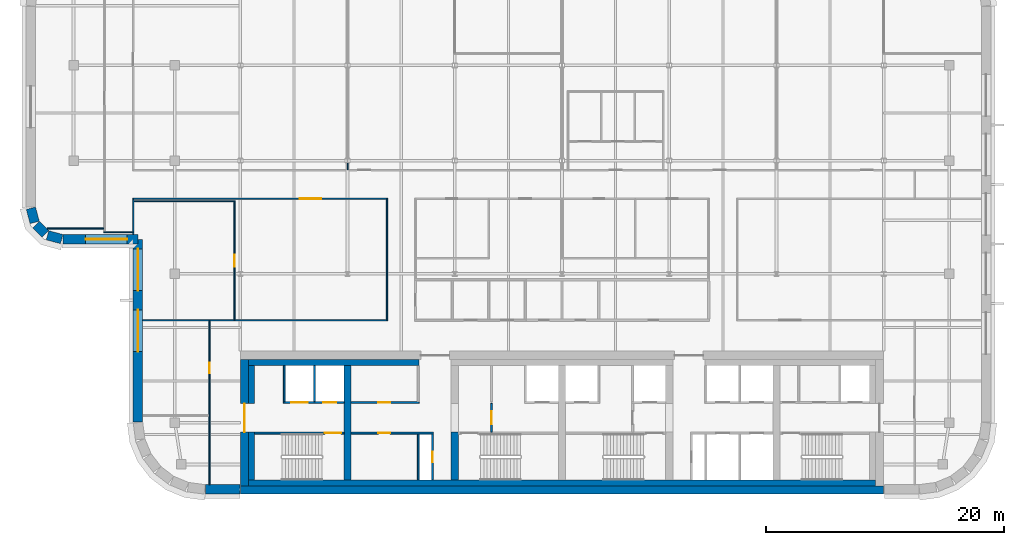
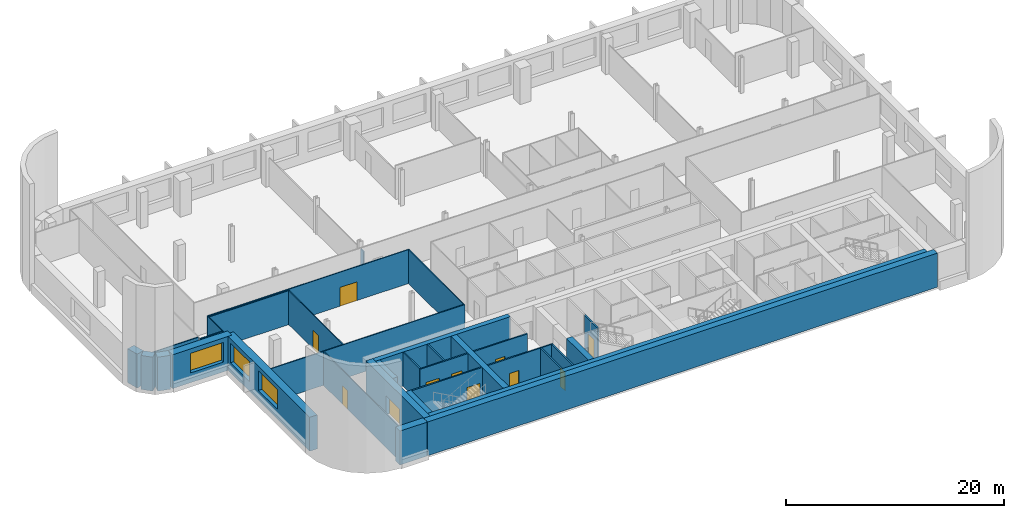
# One storey, part 7 of 16: 33 walls, 11 doors, 3 windows, 14 openings.
"""IFC4 building model written with IfcOpenShell, lengths in metres."""

from ifc_helpers import new_model, si_unit, direction, frame, frame_2d, origin, place, context, subcontext, project, spatial, rectangle, extrude, material, layer, layer_set, type_object, element, fill, save


model = new_model("IFC4")

# Units and contexts
model_context = context("Model", 3, precision=1e-05, world=origin(), true_north=direction((0.0, 1.0)))
body_context = subcontext(model_context, "Body", "Model", "MODEL_VIEW")
ifc_project = project(units=[si_unit("LENGTHUNIT", "METRE"), si_unit("AREAUNIT", "SQUARE_METRE"), si_unit("VOLUMEUNIT", "CUBIC_METRE"), si_unit("PLANEANGLEUNIT", "RADIAN"), si_unit("MASSUNIT", "GRAM", prefix="KILO")], contexts=[model_context])

# Site, building, storey
site_placement = place(None, origin())
site = spatial("IfcSite", under=ifc_project, at=site_placement, CompositionType="ELEMENT")
building_placement = place(site_placement, origin())
building = spatial("IfcBuilding", under=site, at=building_placement, Name="Zellij Exchange Tower", CompositionType="ELEMENT")
storey_placement = place(building_placement, frame((0.0, 0.0, 244.5)))
storey = spatial("IfcBuildingStorey", under=building, at=storey_placement, Name="L57", CompositionType="ELEMENT", Elevation=244.5)

# Walls
ifc_material_1 = material(Name="Concrete C50/60", Category="concrete")
ifc_layer_1 = layer(ifc_material_1, 0.60009765625)
ifc_layer_set_1 = layer_set([ifc_layer_1], Name="Concrete C50/60")
wall_type_1 = type_object("IfcWallType", Name="CORE-CW 600 C50/60", PredefinedType="SHEAR", material=ifc_layer_set_1)
wall_1_placement = place(storey_placement, frame((-18.0, -12.800048828125, 0.0), z_axis=(0.0, 0.0, 1.0), x_axis=(0.0, 1.0, 0.0)))
element("IfcWall", 1, at=wall_1_placement, inside=storey, type_object=wall_type_1, Name="Core cross wall x -18 L57", PredefinedType="SHEAR", context=body_context, shape_type="SweptSolid", body=[
    extrude(rectangle(XDim=9.60009765625, YDim=0.60009765625, at=frame_2d((4.800048828125, 0.0))), origin(), (0.0, 0.0, 1.0), 3.800048828125),
])
wall_2_placement = place(storey_placement, frame((-9.0, -12.800048828125, 0.0), z_axis=(0.0, 0.0, 1.0), x_axis=(0.0, 1.0, 0.0)))
element("IfcWall", 2, at=wall_2_placement, inside=storey, type_object=wall_type_1, Name="Core cross wall pier x -9 a L57", PredefinedType="SHEAR", context=body_context, shape_type="SweptSolid", body=[
    extrude(rectangle(XDim=4.0, YDim=0.60009765625, at=frame_2d((2.0, 0.0))), origin(), (0.0, 0.0, 1.0), 3.800048828125),
])
ifc_material_2 = material(Name="Concrete C30/37", Category="concrete")
ifc_layer_2 = layer(ifc_material_2, 0.5)
ifc_layer_set_2 = layer_set([ifc_layer_2], Name="Concrete C30/37")
wall_type_2 = type_object("IfcWallType", Name="CORE-LW 500 C30/37", PredefinedType="SHEAR", material=ifc_layer_set_2)
wall_3_placement = place(storey_placement, frame((-26.300048828125, -2.949951171875, 0.0), z_axis=(0.0, 0.0, 1.0), x_axis=(1.0, 0.0, 0.0)))
element("IfcWall", 3, at=wall_3_placement, inside=storey, type_object=wall_type_2, Name="Core wall lining front.0 L57", PredefinedType="SHEAR", context=body_context, shape_type="SweptSolid", body=[
    extrude(rectangle(XDim=14.300048828125, YDim=0.5, at=frame_2d((7.14990234375, 0.0))), origin(), (0.0, 0.0, 1.0), 3.800048828125),
])
wall_4_placement = place(storey_placement, frame((-26.300048828125, -13.050048828125, 0.0), z_axis=(0.0, 0.0, 1.0), x_axis=(1.0, 0.0, 0.0)))
element("IfcWall", 4, at=wall_4_placement, inside=storey, type_object=wall_type_2, Name="Core wall lining rear.0 L57", PredefinedType="SHEAR", context=body_context, shape_type="SweptSolid", body=[
    extrude(rectangle(XDim=52.60009765625, YDim=0.5, at=frame_2d((26.300048828125, 0.0))), origin(), (0.0, 0.0, 1.0), 3.800048828125),
])
wall_5_placement = place(storey_placement, frame((-26.050048828125, -12.800048828125, 0.0), z_axis=(0.0, 0.0, 1.0), x_axis=(0.0, 1.0, 0.0)))
element("IfcWall", 5, at=wall_5_placement, inside=storey, type_object=wall_type_2, Name="Core wall lining end w.0 L57", PredefinedType="SHEAR", context=body_context, shape_type="SweptSolid", body=[
    extrude(rectangle(XDim=4.0, YDim=0.5, at=frame_2d((2.0, 0.0))), origin(), (0.0, 0.0, 1.0), 3.800048828125),
])
wall_6_placement = place(storey_placement, frame((-26.050048828125, -6.375, 0.0), z_axis=(0.0, 0.0, 1.0), x_axis=(0.0, 1.0, 0.0)))
element("IfcWall", 6, at=wall_6_placement, inside=storey, type_object=wall_type_2, Name="Core wall lining end w.1 L57", PredefinedType="SHEAR", context=body_context, shape_type="SweptSolid", body=[
    extrude(rectangle(XDim=3.175048828125, YDim=0.5, at=frame_2d((1.58740234375, 0.0))), origin(), (0.0, 0.0, 1.0), 3.800048828125),
])

# Wall, opening, door
ifc_material_3 = material(Name="Gypsum shaft wall system")
ifc_layer_3 = layer(ifc_material_3, 0.14990234375)
ifc_layer_set_3 = layer_set([ifc_layer_3], Name="Gypsum shaft wall system")
wall_type_3 = type_object("IfcWallType", Name="CORE-PW 150 Firefighting lobby wall", PredefinedType="PARTITIONING", material=ifc_layer_set_3)
wall_7_placement = place(storey_placement, frame((-5.925048828125, -8.800048828125, 0.0), z_axis=(0.0, 0.0, 1.0), x_axis=(0.0, 1.0, 0.0)))
wall_7 = element("IfcWall", 7, at=wall_7_placement, inside=storey, type_object=wall_type_3, Name="Firefighting lobby wall L57", PredefinedType="PARTITIONING", context=body_context, shape_type="SweptSolid", body=[
    extrude(rectangle(XDim=2.425048828125, YDim=0.14990234375, at=frame_2d((1.21240234375, 0.0))), origin(), (0.0, 0.0, 1.0), 3.800048828125),
])
opening_1_placement = place(wall_7_placement, frame((0.662109375, 0.0, 0.0)))
opening_1 = element("IfcOpeningElement", 8, at=opening_1_placement, cuts=wall_7, Name="Opening CA-30.10", PredefinedType="OPENING", context=body_context, shape_type="SweptSolid", body=[
    extrude(rectangle(XDim=1.10009765625, YDim=2.10009765625, at=frame_2d((0.550048828125, 1.050048828125))), frame((0.0, 0.0869140625, 0.0), z_axis=(0.0, -1.0, 0.0), x_axis=(1.0, 0.0, 0.0)), (0.0, 0.0, 1.0), 0.173828125),
])
ifc_material_4 = material(Name="Hollow metal fire door")
door_type_1 = type_object("IfcDoorType", Name="CORE-D F Firefighting lobby door 1100x2100 1 HR", OperationType="NOTDEFINED", PredefinedType="DOOR", material=ifc_material_4)
door_1_placement = place(opening_1_placement, origin())
door_1 = element("IfcDoor", 9, at=door_1_placement, inside=storey, type_object=door_type_1, Name="Firefighting lobby door CA-30.10", OperationType="SINGLE_SWING_LEFT", OverallHeight=2.10009765625, OverallWidth=1.10009765625, PredefinedType="DOOR", context=body_context, shape_type="SweptSolid", body=[
    extrude(rectangle(XDim=1.10009765625, YDim=2.10009765625, at=frame_2d((0.550048828125, 1.050048828125))), frame((0.0, 0.02490234375, 0.0), z_axis=(0.0, -1.0, 0.0), x_axis=(1.0, 0.0, 0.0)), (0.0, 0.0, 1.0), 0.050048828125),
])
fill(opening_1, door_1)

ifc_material_5 = material(Name="Gypsum board partition")
ifc_layer_4 = layer(ifc_material_5, 0.14990234375)
ifc_layer_set_4 = layer_set([ifc_layer_4], Name="Gypsum board partition")
wall_type_4 = type_object("IfcWallType", Name="CORE-PW 150 Lift lobby wall", PredefinedType="PARTITIONING", material=ifc_layer_set_4)
wall_8_placement = place(storey_placement, frame((-10.875, -12.800048828125, 0.0), z_axis=(0.0, 0.0, 1.0), x_axis=(0.0, 1.0, 0.0)))
wall_8 = element("IfcWall", 10, at=wall_8_placement, inside=storey, type_object=wall_type_4, Name="Lift lobby wall L57", PredefinedType="PARTITIONING", context=body_context, shape_type="SweptSolid", body=[
    extrude(rectangle(XDim=3.85009765625, YDim=0.14990234375, at=frame_2d((1.925048828125, 0.0))), origin(), (0.0, 0.0, 1.0), 3.800048828125),
])
opening_2_placement = place(wall_8_placement, frame((1.47509765625, 0.0, 0.0)))
opening_2 = element("IfcOpeningElement", 11, at=opening_2_placement, cuts=wall_8, Name="Opening CA-30.07", PredefinedType="OPENING", context=body_context, shape_type="SweptSolid", body=[
    extrude(rectangle(XDim=0.89990234375, YDim=2.10009765625, at=frame_2d((0.449951171875, 1.050048828125))), frame((0.0, 0.0869140625, 0.0), z_axis=(0.0, -1.0, 0.0), x_axis=(1.0, 0.0, 0.0)), (0.0, 0.0, 1.0), 0.173828125),
])
door_type_2 = type_object("IfcDoorType", Name="CORE-D RD Riser door 900x2100 1.5 HR", OperationType="NOTDEFINED", PredefinedType="DOOR", material=ifc_material_4)
door_2_placement = place(opening_2_placement, origin())
door_2 = element("IfcDoor", 12, at=door_2_placement, inside=storey, type_object=door_type_2, Name="Riser door CA-30.07", OperationType="SINGLE_SWING_RIGHT", OverallHeight=2.10009765625, OverallWidth=0.89990234375, PredefinedType="DOOR", context=body_context, shape_type="SweptSolid", body=[
    extrude(rectangle(XDim=0.89990234375, YDim=2.10009765625, at=frame_2d((0.449951171875, 1.050048828125))), frame((0.0, 0.02490234375, 0.0), z_axis=(0.0, -1.0, 0.0), x_axis=(1.0, 0.0, 0.0)), (0.0, 0.0, 1.0), 0.050048828125),
])
fill(opening_2, door_2)

# Wall
wall_9_placement = place(storey_placement, frame((-12.074951171875, -12.800048828125, 0.0), z_axis=(0.0, 0.0, 1.0), x_axis=(0.0, 1.0, 0.0)))
element("IfcWall", 13, at=wall_9_placement, inside=storey, type_object=wall_type_4, Name="Lift lobby wall L57", PredefinedType="PARTITIONING", context=body_context, shape_type="SweptSolid", body=[
    extrude(rectangle(XDim=3.85009765625, YDim=0.14990234375, at=frame_2d((1.925048828125, 0.0))), origin(), (0.0, 0.0, 1.0), 3.800048828125),
])

# Wall, opening, door
wall_10_placement = place(storey_placement, frame((-17.699951171875, -6.300048828125, 0.0), z_axis=(0.0, 0.0, 1.0), x_axis=(1.0, 0.0, 0.0)))
wall_10 = element("IfcWall", 14, at=wall_10_placement, inside=storey, type_object=wall_type_4, Name="Lift lobby wall L57", PredefinedType="PARTITIONING", context=body_context, shape_type="SweptSolid", body=[
    extrude(rectangle(XDim=5.699951171875, YDim=0.14990234375, at=frame_2d((2.85009765625, 0.0))), origin(), (0.0, 0.0, 1.0), 3.800048828125),
])
opening_3_placement = place(wall_10_placement, frame((2.27490234375, 0.0, 0.0)))
opening_3 = element("IfcOpeningElement", 15, at=opening_3_placement, cuts=wall_10, Name="Opening CA-30.06", PredefinedType="OPENING", context=body_context, shape_type="SweptSolid", body=[
    extrude(rectangle(XDim=1.0, YDim=2.10009765625, at=frame_2d((0.5, 1.050048828125))), frame((0.0, 0.0869140625, 0.0), z_axis=(0.0, -1.0, 0.0), x_axis=(1.0, 0.0, 0.0)), (0.0, 0.0, 1.0), 0.173828125),
])
door_type_3 = type_object("IfcDoorType", Name="CORE-D CD Core room door 1000x2100 1 HR", OperationType="NOTDEFINED", PredefinedType="DOOR", material=ifc_material_4)
door_3_placement = place(opening_3_placement, origin())
door_3 = element("IfcDoor", 16, at=door_3_placement, inside=storey, type_object=door_type_3, Name="Core room door CA-30.06", OperationType="SINGLE_SWING_LEFT", OverallHeight=2.10009765625, OverallWidth=1.0, PredefinedType="DOOR", context=body_context, shape_type="SweptSolid", body=[
    extrude(rectangle(XDim=1.0, YDim=2.10009765625, at=frame_2d((0.5, 1.050048828125))), frame((0.0, 0.02490234375, 0.0), z_axis=(0.0, -1.0, 0.0), x_axis=(1.0, 0.0, 0.0)), (0.0, 0.0, 1.0), 0.050048828125),
])
fill(opening_3, door_3)

wall_11_placement = place(storey_placement, frame((-17.699951171875, -8.875, 0.0), z_axis=(0.0, 0.0, 1.0), x_axis=(1.0, 0.0, 0.0)))
wall_11 = element("IfcWall", 17, at=wall_11_placement, inside=storey, type_object=wall_type_4, Name="Lift lobby wall L57", PredefinedType="PARTITIONING", context=body_context, shape_type="SweptSolid", body=[
    extrude(rectangle(XDim=6.89990234375, YDim=0.14990234375, at=frame_2d((3.449951171875, 0.0))), origin(), (0.0, 0.0, 1.0), 3.800048828125),
])
opening_4_placement = place(wall_11_placement, frame((2.27490234375, 0.0, 0.0)))
opening_4 = element("IfcOpeningElement", 18, at=opening_4_placement, cuts=wall_11, Name="Opening CA-30.05", PredefinedType="OPENING", context=body_context, shape_type="SweptSolid", body=[
    extrude(rectangle(XDim=1.0, YDim=2.10009765625, at=frame_2d((0.5, 1.050048828125))), frame((0.0, 0.0869140625, 0.0), z_axis=(0.0, -1.0, 0.0), x_axis=(1.0, 0.0, 0.0)), (0.0, 0.0, 1.0), 0.173828125),
])
door_4_placement = place(opening_4_placement, origin())
door_4 = element("IfcDoor", 19, at=door_4_placement, inside=storey, type_object=door_type_3, Name="Core room door CA-30.05", OperationType="SINGLE_SWING_RIGHT", OverallHeight=2.10009765625, OverallWidth=1.0, PredefinedType="DOOR", context=body_context, shape_type="SweptSolid", body=[
    extrude(rectangle(XDim=1.0, YDim=2.10009765625, at=frame_2d((0.5, 1.050048828125))), frame((0.0, 0.02490234375, 0.0), z_axis=(0.0, -1.0, 0.0), x_axis=(1.0, 0.0, 0.0)), (0.0, 0.0, 1.0), 0.050048828125),
])
fill(opening_4, door_4)

# Walls
ifc_layer_5 = layer(ifc_material_3, 0.14990234375)
ifc_layer_set_5 = layer_set([ifc_layer_5], Name="Gypsum shaft wall system")
wall_type_5 = type_object("IfcWallType", Name="CORE-PW 150 Lift shaft wall", PredefinedType="PARTITIONING", material=ifc_layer_set_5)
for number, where, z_axis, x_axis, name in (
    (20, (-20.77490234375, -6.22509765625, 0.0), (0.0, 0.0, 1.0), (0.0, 1.0, 0.0), "Lift shaft wall L57"),
    (21, (-23.324951171875, -6.22509765625, 0.0), (0.0, 0.0, 1.0), (0.0, 1.0, 0.0), "Lift shaft wall L57"),
):
    element("IfcWall", number, at=place(storey_placement, frame(where, z_axis=z_axis, x_axis=x_axis)), inside=storey, type_object=wall_type_5, Name=name, PredefinedType="PARTITIONING", context=body_context, shape_type="SweptSolid", body=[
        extrude(rectangle(XDim=3.025146484375, YDim=0.14990234375, at=frame_2d((1.5126953125, 0.0))), origin(), (0.0, 0.0, 1.0), 3.800048828125),
    ])

# Wall, openings, doors
wall_12_placement = place(storey_placement, frame((-23.39990234375, -6.300048828125, 0.0), z_axis=(0.0, 0.0, 1.0), x_axis=(1.0, 0.0, 0.0)))
wall_12 = element("IfcWall", 22, at=wall_12_placement, inside=storey, type_object=wall_type_5, Name="Lift shaft wall L57", PredefinedType="PARTITIONING", context=body_context, shape_type="SweptSolid", body=[
    extrude(rectangle(XDim=5.099853515625, YDim=0.14990234375, at=frame_2d((2.5498046875, 0.0))), origin(), (0.0, 0.0, 1.0), 3.800048828125),
])
opening_5_placement = place(wall_12_placement, frame((0.64990234375, 0.0, 0.0)))
opening_5 = element("IfcOpeningElement", 23, at=opening_5_placement, cuts=wall_12, Name="Opening CA-30.02", PredefinedType="OPENING", context=body_context, shape_type="SweptSolid", body=[
    extrude(rectangle(XDim=1.39990234375, YDim=2.10009765625, at=frame_2d((0.699951171875, 1.050048828125))), frame((0.0, 0.0869140625, 0.0), z_axis=(0.0, -1.0, 0.0), x_axis=(1.0, 0.0, 0.0)), (0.0, 0.0, 1.0), 0.173828125),
])
opening_6_placement = place(wall_12_placement, frame((3.35009765625, 0.0, 0.0)))
opening_6 = element("IfcOpeningElement", 24, at=opening_6_placement, cuts=wall_12, Name="Opening CA-30.03", PredefinedType="OPENING", context=body_context, shape_type="SweptSolid", body=[
    extrude(rectangle(XDim=1.10009765625, YDim=2.10009765625, at=frame_2d((0.550048828125, 1.050048828125))), frame((0.0, 0.0869140625, 0.0), z_axis=(0.0, -1.0, 0.0), x_axis=(1.0, 0.0, 0.0)), (0.0, 0.0, 1.0), 0.173828125),
])
door_type_4 = type_object("IfcDoorType", Name="CORE-D LD Lift landing door 1100x2100 1.5 HR", OperationType="NOTDEFINED", PredefinedType="DOOR", material=ifc_material_4)
door_5_placement = place(opening_6_placement, origin())
door_5 = element("IfcDoor", 25, at=door_5_placement, inside=storey, type_object=door_type_4, Name="Lift landing door CA-30.03", OperationType="SLIDING_TO_LEFT", OverallHeight=2.10009765625, OverallWidth=1.10009765625, PredefinedType="DOOR", context=body_context, shape_type="SweptSolid", body=[
    extrude(rectangle(XDim=1.10009765625, YDim=2.10009765625, at=frame_2d((0.550048828125, 1.050048828125))), frame((0.0, 0.02490234375, 0.0), z_axis=(0.0, -1.0, 0.0), x_axis=(1.0, 0.0, 0.0)), (0.0, 0.0, 1.0), 0.050048828125),
])
fill(opening_6, door_5)
door_type_5 = type_object("IfcDoorType", Name="CORE-D LD2 Service lift landing door 1400x2100 1.5 HR", OperationType="NOTDEFINED", PredefinedType="DOOR", material=ifc_material_4)
door_6_placement = place(opening_5_placement, origin())
door_6 = element("IfcDoor", 26, at=door_6_placement, inside=storey, type_object=door_type_5, Name="Service lift landing door CA-30.02", OperationType="SLIDING_TO_RIGHT", OverallHeight=2.10009765625, OverallWidth=1.39990234375, PredefinedType="DOOR", context=body_context, shape_type="SweptSolid", body=[
    extrude(rectangle(XDim=1.39990234375, YDim=2.10009765625, at=frame_2d((0.699951171875, 1.050048828125))), frame((0.0, 0.02490234375, 0.0), z_axis=(0.0, -1.0, 0.0), x_axis=(1.0, 0.0, 0.0)), (0.0, 0.0, 1.0), 0.050048828125),
])
fill(opening_5, door_6)

# Wall
ifc_layer_6 = layer(ifc_material_1, 0.699951171875)
ifc_layer_set_6 = layer_set([ifc_layer_6], Name="Concrete C50/60")
wall_type_6 = type_object("IfcWallType", Name="CORE-SW 700 C50/60", PredefinedType="SHEAR", material=ifc_layer_set_6)
wall_13_placement = place(storey_placement, frame((-27.0, -13.64990234375, 0.0), z_axis=(0.0, 0.0, 1.0), x_axis=(1.0, 0.0, 0.0)))
element("IfcWall", 27, at=wall_13_placement, inside=storey, type_object=wall_type_6, Name="Core shear wall rear L57", PredefinedType="SHEAR", context=body_context, shape_type="SweptSolid", body=[
    extrude(rectangle(XDim=54.0, YDim=0.699951171875, at=frame_2d((27.0, 0.0))), origin(), (0.0, 0.0, 1.0), 3.800048828125),
])

# Wall, opening, door
wall_14_placement = place(storey_placement, frame((-26.64990234375, -13.300048828125, 0.0), z_axis=(0.0, 0.0, 1.0), x_axis=(0.0, 1.0, 0.0)))
wall_14 = element("IfcWall", 28, at=wall_14_placement, inside=storey, type_object=wall_type_6, Name="Core shear wall end w L57", PredefinedType="SHEAR", context=body_context, shape_type="SweptSolid", body=[
    extrude(rectangle(XDim=10.60009765625, YDim=0.699951171875, at=frame_2d((5.300048828125, 0.0))), origin(), (0.0, 0.0, 1.0), 3.800048828125),
])
opening_7_placement = place(wall_14_placement, frame((4.511962890625, 0.0, 0.0)))
opening_7 = element("IfcOpeningElement", 29, at=opening_7_placement, cuts=wall_14, Name="Opening CA-30.01", PredefinedType="OPENING", context=body_context, shape_type="SweptSolid", body=[
    extrude(rectangle(XDim=2.39990234375, YDim=2.10009765625, at=frame_2d((1.199951171875, 1.050048828125))), frame((0.0, 0.36181640625, 0.0), z_axis=(0.0, -1.0, 0.0), x_axis=(1.0, 0.0, 0.0)), (0.0, 0.0, 1.0), 0.723876953125),
])
door_type_6 = type_object("IfcDoorType", Name="CORE-D CE Core entrance door 2400x2100 20 MIN", OperationType="NOTDEFINED", PredefinedType="DOOR", material=ifc_material_4)
door_7_placement = place(opening_7_placement, origin())
door_7 = element("IfcDoor", 30, at=door_7_placement, inside=storey, type_object=door_type_6, Name="Core entrance door CA-30.01", OperationType="DOUBLE_DOOR_SINGLE_SWING", OverallHeight=2.10009765625, OverallWidth=2.39990234375, PredefinedType="DOOR", context=body_context, shape_type="SweptSolid", body=[
    extrude(rectangle(XDim=2.39990234375, YDim=2.10009765625, at=frame_2d((1.199951171875, 1.050048828125))), frame((0.0, 0.02490234375, 0.0), z_axis=(0.0, -1.0, 0.0), x_axis=(1.0, 0.0, 0.0)), (0.0, 0.0, 1.0), 0.050048828125),
])
fill(opening_7, door_7)

ifc_layer_7 = layer(ifc_material_1, 0.14990234375)
ifc_layer_set_7 = layer_set([ifc_layer_7], Name="Concrete C50/60")
wall_type_7 = type_object("IfcWallType", Name="CORE-SWS 150 C50/60", PredefinedType="SHEAR", material=ifc_layer_set_7)
wall_15_placement = place(storey_placement, frame((-25.800048828125, -8.875, 0.0), z_axis=(0.0, 0.0, 1.0), x_axis=(1.0, 0.0, 0.0)))
wall_15 = element("IfcWall", 31, at=wall_15_placement, inside=storey, type_object=wall_type_7, Name="Stair enclosure wall L57", PredefinedType="SHEAR", context=body_context, shape_type="SweptSolid", body=[
    extrude(rectangle(XDim=7.5, YDim=0.14990234375, at=frame_2d((3.75, 0.0))), origin(), (0.0, 0.0, 1.0), 3.800048828125),
])
opening_8_placement = place(wall_15_placement, frame((5.875, 0.0, 0.0)))
opening_8 = element("IfcOpeningElement", 32, at=opening_8_placement, cuts=wall_15, Name="Opening CA-30.04", PredefinedType="OPENING", context=body_context, shape_type="SweptSolid", body=[
    extrude(rectangle(XDim=1.39990234375, YDim=2.10009765625, at=frame_2d((0.699951171875, 1.050048828125))), frame((0.0, 0.0869140625, 0.0), z_axis=(0.0, -1.0, 0.0), x_axis=(1.0, 0.0, 0.0)), (0.0, 0.0, 1.0), 0.173828125),
])
door_type_7 = type_object("IfcDoorType", Name="CORE-D SD Stair door 1400x2100 1.5 HR", OperationType="NOTDEFINED", PredefinedType="DOOR", material=ifc_material_4)
door_8_placement = place(opening_8_placement, origin())
door_8 = element("IfcDoor", 33, at=door_8_placement, inside=storey, type_object=door_type_7, Name="Stair door CA-30.04", OperationType="DOUBLE_DOOR_SINGLE_SWING", OverallHeight=2.10009765625, OverallWidth=1.39990234375, PredefinedType="DOOR", context=body_context, shape_type="SweptSolid", body=[
    extrude(rectangle(XDim=1.39990234375, YDim=2.10009765625, at=frame_2d((0.699951171875, 1.050048828125))), frame((0.0, 0.02490234375, 0.0), z_axis=(0.0, -1.0, 0.0), x_axis=(1.0, 0.0, 0.0)), (0.0, 0.0, 1.0), 0.050048828125),
])
fill(opening_8, door_8)

# Walls
ifc_material_6 = material(Name="Precast concrete C40/50", Category="concrete")
ifc_layer_8 = layer(ifc_material_6, 0.800048828125)
ifc_layer_set_8 = layer_set([ifc_layer_8], Name="Precast concrete C40/50")
wall_type_8 = type_object("IfcWallType", Name="ENV-EW1 Precast stone-piered wall 800", PredefinedType="SOLIDWALL", material=ifc_layer_set_8)
wall_16_placement = place(storey_placement, frame((-29.947509765625, -13.60009765625, 0.0), z_axis=(0.0, 0.0, 1.0), x_axis=(1.0, 0.0, 0.0)))
element("IfcWall", 34, at=wall_16_placement, inside=storey, type_object=wall_type_8, Name="fac.L57.00a", PredefinedType="SOLIDWALL", context=body_context, shape_type="SweptSolid", body=[
    extrude(rectangle(XDim=2.8974609375, YDim=0.800048828125, at=frame_2d((1.44873046875, 0.0))), origin(), (0.0, 0.0, 1.0), 3.800048828125),
])
wall_17_placement = place(storey_placement, frame((-44.58642578125, 10.001708984375, 0.0), z_axis=(0.0, 0.0, 1.0), x_axis=(0.258943885187, -0.965892366842, 0.0)))
element("IfcWall", 35, at=wall_17_placement, inside=storey, type_object=wall_type_8, Name="fac.L57.22", PredefinedType="SOLIDWALL", context=body_context, shape_type="SweptSolid", body=[
    extrude(rectangle(XDim=1.233154296875, YDim=0.800048828125, at=frame_2d((0.61669921875, 0.0))), origin(), (0.0, 0.0, 1.0), 3.800048828125),
])
wall_18_placement = place(storey_placement, frame((-44.163818359375, 8.63134765625, 0.0), z_axis=(0.0, 0.0, 1.0), x_axis=(0.707106781187, -0.707106781187, 0.0)))
element("IfcWall", 36, at=wall_18_placement, inside=storey, type_object=wall_type_8, Name="fac.L57.23", PredefinedType="SOLIDWALL", context=body_context, shape_type="SweptSolid", body=[
    extrude(rectangle(XDim=1.12451171875, YDim=0.800048828125, at=frame_2d((0.562255859375, 0.0))), origin(), (0.0, 0.0, 1.0), 3.800048828125),
])
wall_19_placement = place(storey_placement, frame((-43.189453125, 7.73291015625, 0.0), z_axis=(0.0, 0.0, 1.0), x_axis=(0.965892366842, -0.258943885187, 0.0)))
element("IfcWall", 37, at=wall_19_placement, inside=storey, type_object=wall_type_8, Name="fac.L57.24", PredefinedType="SOLIDWALL", context=body_context, shape_type="SweptSolid", body=[
    extrude(rectangle(XDim=1.233154296875, YDim=0.800048828125, at=frame_2d((0.61669921875, 0.0))), origin(), (0.0, 0.0, 1.0), 3.800048828125),
])

# Wall, opening, window
wall_20_placement = place(storey_placement, frame((-41.89453125, 7.39990234375, 0.0), z_axis=(0.0, 0.0, 1.0), x_axis=(1.0, 0.0, 0.0)))
wall_20 = element("IfcWall", 38, at=wall_20_placement, inside=storey, type_object=wall_type_8, Name="fac.L57.25", PredefinedType="SOLIDWALL", context=body_context, shape_type="SweptSolid", body=[
    extrude(rectangle(XDim=6.29443359375, YDim=0.800048828125, at=frame_2d((3.147216796875, 0.0))), origin(), (0.0, 0.0, 1.0), 3.800048828125),
])
opening_9_placement = place(wall_20_placement, frame((1.89453125, 0.0, 1.10009765625)))
opening_9 = element("IfcOpeningElement", 39, at=opening_9_placement, cuts=wall_20, Name="Opening FZ4.21", PredefinedType="OPENING", context=body_context, shape_type="SweptSolid", body=[
    extrude(rectangle(XDim=3.5, YDim=2.199951171875, at=frame_2d((1.75, 1.10009765625))), frame((0.0, 0.412109375, 0.0), z_axis=(0.0, -1.0, 0.0), x_axis=(1.0, 0.0, 0.0)), (0.0, 0.0, 1.0), 0.823974609375),
])
ifc_material_7 = material(Name="Aluminium frame with insulating glass", Category="aluminium")
window_type = type_object("IfcWindowType", Name="ENV-W7 Window 3500x2200", PartitioningType="SINGLE_PANEL", PredefinedType="WINDOW", material=ifc_material_7)
window_1_placement = place(opening_9_placement, origin())
window_1 = element("IfcWindow", 40, at=window_1_placement, inside=storey, type_object=window_type, Name="Window FZ4.21", OverallHeight=2.199951171875, OverallWidth=3.5, PartitioningType="SINGLE_PANEL", PredefinedType="WINDOW", context=body_context, shape_type="SweptSolid", body=[
    extrude(rectangle(XDim=3.5, YDim=2.199951171875, at=frame_2d((1.75, 1.10009765625))), frame((0.0, 0.030029296875, 0.0), z_axis=(0.0, -1.0, 0.0), x_axis=(1.0, 0.0, 0.0)), (0.0, 0.0, 1.0), 0.06005859375),
])
fill(opening_9, window_1)

# Wall, openings, windows
wall_21_placement = place(storey_placement, frame((-35.60009765625, 7.39990234375, 0.0), z_axis=(0.0, 0.0, 1.0), x_axis=(0.0, -1.0, 0.0)))
wall_21 = element("IfcWall", 41, at=wall_21_placement, inside=storey, type_object=wall_type_8, Name="fac.L57.26", PredefinedType="SOLIDWALL", context=body_context, shape_type="SweptSolid", body=[
    extrude(rectangle(XDim=15.347412109375, YDim=0.800048828125, at=frame_2d((7.673828125, 0.0))), origin(), (0.0, 0.0, 1.0), 3.800048828125),
])
opening_10_placement = place(wall_21_placement, frame((0.812255859375, 0.0, 1.10009765625)))
opening_10 = element("IfcOpeningElement", 42, at=opening_10_placement, cuts=wall_21, Name="Opening FZ4.22", PredefinedType="OPENING", context=body_context, shape_type="SweptSolid", body=[
    extrude(rectangle(XDim=3.5, YDim=2.199951171875, at=frame_2d((1.75, 1.10009765625))), frame((0.0, 0.412109375, 0.0), z_axis=(0.0, -1.0, 0.0), x_axis=(1.0, 0.0, 0.0)), (0.0, 0.0, 1.0), 0.823974609375),
])
opening_11_placement = place(wall_21_placement, frame((5.93701171875, 0.0, 1.10009765625)))
opening_11 = element("IfcOpeningElement", 43, at=opening_11_placement, cuts=wall_21, Name="Opening FZ4.23", PredefinedType="OPENING", context=body_context, shape_type="SweptSolid", body=[
    extrude(rectangle(XDim=3.5, YDim=2.199951171875, at=frame_2d((1.75, 1.10009765625))), frame((0.0, 0.412109375, 0.0), z_axis=(0.0, -1.0, 0.0), x_axis=(1.0, 0.0, 0.0)), (0.0, 0.0, 1.0), 0.823974609375),
])
window_2_placement = place(opening_10_placement, origin())
window_2 = element("IfcWindow", 44, at=window_2_placement, inside=storey, type_object=window_type, Name="Window FZ4.22", OverallHeight=2.199951171875, OverallWidth=3.5, PartitioningType="SINGLE_PANEL", PredefinedType="WINDOW", context=body_context, shape_type="SweptSolid", body=[
    extrude(rectangle(XDim=3.5, YDim=2.199951171875, at=frame_2d((1.75, 1.10009765625))), frame((0.0, 0.030029296875, 0.0), z_axis=(0.0, -1.0, 0.0), x_axis=(1.0, 0.0, 0.0)), (0.0, 0.0, 1.0), 0.06005859375),
])
fill(opening_10, window_2)
window_3_placement = place(opening_11_placement, origin())
window_3 = element("IfcWindow", 45, at=window_3_placement, inside=storey, type_object=window_type, Name="Window FZ4.23", OverallHeight=2.199951171875, OverallWidth=3.5, PartitioningType="SINGLE_PANEL", PredefinedType="WINDOW", context=body_context, shape_type="SweptSolid", body=[
    extrude(rectangle(XDim=3.5, YDim=2.199951171875, at=frame_2d((1.75, 1.10009765625))), frame((0.0, 0.030029296875, 0.0), z_axis=(0.0, -1.0, 0.0), x_axis=(1.0, 0.0, 0.0)), (0.0, 0.0, 1.0), 0.06005859375),
])
fill(opening_11, window_3)

# Wall, opening, door
ifc_material_8 = material(Name="Gypsum board partition on steel studs", Category="steel")
ifc_layer_9 = layer(ifc_material_8, 0.10009765625)
ifc_layer_set_9 = layer_set([ifc_layer_9], Name="Gypsum board partition on steel studs")
wall_type_9 = type_object("IfcWallType", Name="FIT-PARTITION-100", PredefinedType="PARTITIONING", material=ifc_layer_set_9)
wall_22_placement = place(storey_placement, frame((-29.60009765625, -13.199951171875, 0.0), z_axis=(0.0, 0.0, 1.0), x_axis=(0.0, 1.0, 0.0)))
wall_22 = element("IfcWall", 46, at=wall_22_placement, inside=storey, type_object=wall_type_9, Name="FIT-PARTITION-100 001", PredefinedType="PARTITIONING", context=body_context, shape_type="SweptSolid", body=[
    extrude(rectangle(XDim=13.75, YDim=0.10009765625, at=frame_2d((6.875, 0.0))), origin(), (0.0, 0.0, 1.0), 3.800048828125),
])
opening_12_placement = place(wall_22_placement, frame((9.35009765625, 0.0, 0.0)))
opening_12 = element("IfcOpeningElement", 47, at=opening_12_placement, cuts=wall_22, Name="Opening O4D.02", PredefinedType="OPENING", context=body_context, shape_type="SweptSolid", body=[
    extrude(rectangle(XDim=0.89990234375, YDim=2.10009765625, at=frame_2d((0.449951171875, 1.050048828125))), frame((0.0, 0.06201171875, 0.0), z_axis=(0.0, -1.0, 0.0), x_axis=(1.0, 0.0, 0.0)), (0.0, 0.0, 1.0), 0.1240234375),
])
ifc_material_9 = material(Name="Timber door set", Category="wood")
door_type_8 = type_object("IfcDoorType", Name="FIT-D1-ROOM-900X2100", OperationType="SINGLE_SWING_LEFT", PredefinedType="DOOR", material=ifc_material_9)
door_9_placement = place(opening_12_placement, origin())
door_9 = element("IfcDoor", 48, at=door_9_placement, inside=storey, type_object=door_type_8, Name="Door O4D.02", OperationType="SINGLE_SWING_RIGHT", OverallHeight=2.10009765625, OverallWidth=0.89990234375, PredefinedType="DOOR", context=body_context, shape_type="SweptSolid", body=[
    extrude(rectangle(XDim=0.89990234375, YDim=2.10009765625, at=frame_2d((0.449951171875, 1.050048828125))), frame((0.0, 0.02490234375, 0.0), z_axis=(0.0, -1.0, 0.0), x_axis=(1.0, 0.0, 0.0)), (0.0, 0.0, 1.0), 0.050048828125),
])
fill(opening_12, door_9)

# Wall
wall_23_placement = place(storey_placement, frame((-35.199951171875, 0.60009765625, 0.0), z_axis=(0.0, 0.0, 1.0), x_axis=(1.0, 0.0, 0.0)))
element("IfcWall", 49, at=wall_23_placement, inside=storey, type_object=wall_type_9, Name="FIT-PARTITION-100 004", PredefinedType="PARTITIONING", context=body_context, shape_type="SweptSolid", body=[
    extrude(rectangle(XDim=20.550048828125, YDim=0.10009765625, at=frame_2d((10.27490234375, 0.0))), origin(), (0.0, 0.0, 1.0), 3.800048828125),
])

# Wall, opening, door
wall_24_placement = place(storey_placement, frame((-27.5, 0.64990234375, 0.0), z_axis=(0.0, 0.0, 1.0), x_axis=(0.0, 1.0, 0.0)))
wall_24 = element("IfcWall", 50, at=wall_24_placement, inside=storey, type_object=wall_type_9, Name="FIT-PARTITION-100 005", PredefinedType="PARTITIONING", context=body_context, shape_type="SweptSolid", body=[
    extrude(rectangle(XDim=9.900146484375, YDim=0.10009765625, at=frame_2d((4.9501953125, 0.0))), origin(), (0.0, 0.0, 1.0), 3.800048828125),
])
opening_13_placement = place(wall_24_placement, frame((4.449951171875, 0.0, 0.0)))
opening_13 = element("IfcOpeningElement", 51, at=opening_13_placement, cuts=wall_24, Name="Opening O4D.10", PredefinedType="OPENING", context=body_context, shape_type="SweptSolid", body=[
    extrude(rectangle(XDim=1.0, YDim=2.10009765625, at=frame_2d((0.5, 1.050048828125))), frame((0.0, 0.06201171875, 0.0), z_axis=(0.0, -1.0, 0.0), x_axis=(1.0, 0.0, 0.0)), (0.0, 0.0, 1.0), 0.1240234375),
])
door_type_9 = type_object("IfcDoorType", Name="FIT-D2-WIDE-1000X2100", OperationType="SINGLE_SWING_LEFT", PredefinedType="DOOR", material=ifc_material_9)
door_10_placement = place(opening_13_placement, origin())
door_10 = element("IfcDoor", 52, at=door_10_placement, inside=storey, type_object=door_type_9, Name="Door O4D.10", OperationType="SINGLE_SWING_RIGHT", OverallHeight=2.10009765625, OverallWidth=1.0, PredefinedType="DOOR", context=body_context, shape_type="SweptSolid", body=[
    extrude(rectangle(XDim=1.0, YDim=2.10009765625, at=frame_2d((0.5, 1.050048828125))), frame((0.0, 0.02490234375, 0.0), z_axis=(0.0, -1.0, 0.0), x_axis=(1.0, 0.0, 0.0)), (0.0, 0.0, 1.0), 0.050048828125),
])
fill(opening_13, door_10)

# Walls
wall_25_placement = place(storey_placement, frame((-14.699951171875, 0.64990234375, 0.0), z_axis=(0.0, 0.0, 1.0), x_axis=(0.0, 1.0, 0.0)))
element("IfcWall", 53, at=wall_25_placement, inside=storey, type_object=wall_type_9, Name="FIT-PARTITION-100 006", PredefinedType="PARTITIONING", context=body_context, shape_type="SweptSolid", body=[
    extrude(rectangle(XDim=10.10009765625, YDim=0.10009765625, at=frame_2d((5.050048828125, 0.0))), origin(), (0.0, 0.0, 1.0), 3.800048828125),
])
wall_26_placement = place(storey_placement, frame((-36.0, 7.800048828125, 0.0), z_axis=(0.0, 0.0, 1.0), x_axis=(0.0, 1.0, 0.0)))
element("IfcWall", 54, at=wall_26_placement, inside=storey, type_object=wall_type_9, Name="FIT-PARTITION-100 027", PredefinedType="PARTITIONING", context=body_context, shape_type="SweptSolid", body=[
    extrude(rectangle(XDim=2.949951171875, YDim=0.10009765625, at=frame_2d((1.47509765625, 0.0))), origin(), (0.0, 0.0, 1.0), 3.800048828125),
])
wall_27_placement = place(storey_placement, frame((-38.449951171875, 8.0, 0.0), z_axis=(0.0, 0.0, 1.0), x_axis=(1.0, 0.0, 0.0)))
element("IfcWall", 55, at=wall_27_placement, inside=storey, type_object=wall_type_9, Name="FIT-PARTITION-100 028", PredefinedType="PARTITIONING", context=body_context, shape_type="SweptSolid", body=[
    extrude(rectangle(XDim=2.39990234375, YDim=0.10009765625, at=frame_2d((1.199951171875, 0.0))), origin(), (0.0, 0.0, 1.0), 3.800048828125),
])
wall_28_placement = place(storey_placement, frame((-43.22998046875, 8.300048828125, 0.0), z_axis=(0.0, 0.0, 1.0), x_axis=(1.0, 0.0, 0.0)))
element("IfcWall", 56, at=wall_28_placement, inside=storey, type_object=wall_type_9, Name="FIT-PARTITION-100 030", PredefinedType="PARTITIONING", context=body_context, shape_type="SweptSolid", body=[
    extrude(rectangle(XDim=4.780029296875, YDim=0.10009765625, at=frame_2d((2.39013671875, 0.0))), origin(), (0.0, 0.0, 1.0), 3.800048828125),
])
wall_29_placement = place(storey_placement, frame((-35.949951171875, 10.60009765625, 0.0), z_axis=(0.0, 0.0, 1.0), x_axis=(1.0, 0.0, 0.0)))
element("IfcWall", 57, at=wall_29_placement, inside=storey, type_object=wall_type_9, Name="FIT-PARTITION-100 031", PredefinedType="PARTITIONING", context=body_context, shape_type="SweptSolid", body=[
    extrude(rectangle(XDim=8.5, YDim=0.10009765625, at=frame_2d((4.25, 0.0))), origin(), (0.0, 0.0, 1.0), 3.800048828125),
])

# Wall, opening, door
wall_30_placement = place(storey_placement, frame((-36.050048828125, 10.800048828125, 0.0), z_axis=(0.0, 0.0, 1.0), x_axis=(1.0, 0.0, 0.0)))
wall_30 = element("IfcWall", 58, at=wall_30_placement, inside=storey, type_object=wall_type_9, Name="FIT-PARTITION-100 032", PredefinedType="PARTITIONING", context=body_context, shape_type="SweptSolid", body=[
    extrude(rectangle(XDim=21.400146484375, YDim=0.10009765625, at=frame_2d((10.7001953125, 0.0))), origin(), (0.0, 0.0, 1.0), 3.800048828125),
])
opening_14_placement = place(wall_30_placement, frame((14.050048828125, 0.0, 0.0)))
opening_14 = element("IfcOpeningElement", 59, at=opening_14_placement, cuts=wall_30, Name="Opening O4D.11", PredefinedType="OPENING", context=body_context, shape_type="SweptSolid", body=[
    extrude(rectangle(XDim=1.800048828125, YDim=2.10009765625, at=frame_2d((0.89990234375, 1.050048828125))), frame((0.0, 0.06201171875, 0.0), z_axis=(0.0, -1.0, 0.0), x_axis=(1.0, 0.0, 0.0)), (0.0, 0.0, 1.0), 0.1240234375),
])
door_type_10 = type_object("IfcDoorType", Name="FIT-D3-DOUBLE-1800X2100", OperationType="DOUBLE_DOOR_SINGLE_SWING", PredefinedType="DOOR", material=ifc_material_9)
door_11_placement = place(opening_14_placement, origin())
door_11 = element("IfcDoor", 60, at=door_11_placement, inside=storey, type_object=door_type_10, Name="Door O4D.11", OperationType="DOUBLE_DOOR_SINGLE_SWING", OverallHeight=2.10009765625, OverallWidth=1.800048828125, PredefinedType="DOOR", context=body_context, shape_type="SweptSolid", body=[
    extrude(rectangle(XDim=1.800048828125, YDim=2.10009765625, at=frame_2d((0.89990234375, 1.050048828125))), frame((0.0, 0.02490234375, 0.0), z_axis=(0.0, -1.0, 0.0), x_axis=(1.0, 0.0, 0.0)), (0.0, 0.0, 1.0), 0.050048828125),
])
fill(opening_14, door_11)

# Wall
wall_31_placement = place(storey_placement, frame((-18.0, 13.25, 0.0), z_axis=(0.0, 0.0, 1.0), x_axis=(0.0, 1.0, 0.0)))
element("IfcWall", 61, at=wall_31_placement, inside=storey, type_object=wall_type_9, Name="FIT-PARTITION-100 038", PredefinedType="PARTITIONING", context=body_context, shape_type="SweptSolid", body=[
    extrude(rectangle(XDim=0.556884765625, YDim=0.10009765625, at=frame_2d((0.2783203125, 0.0))), origin(), (0.0, 0.0, 1.0), 3.19287109375),
])

save(model, "model.ifc")
